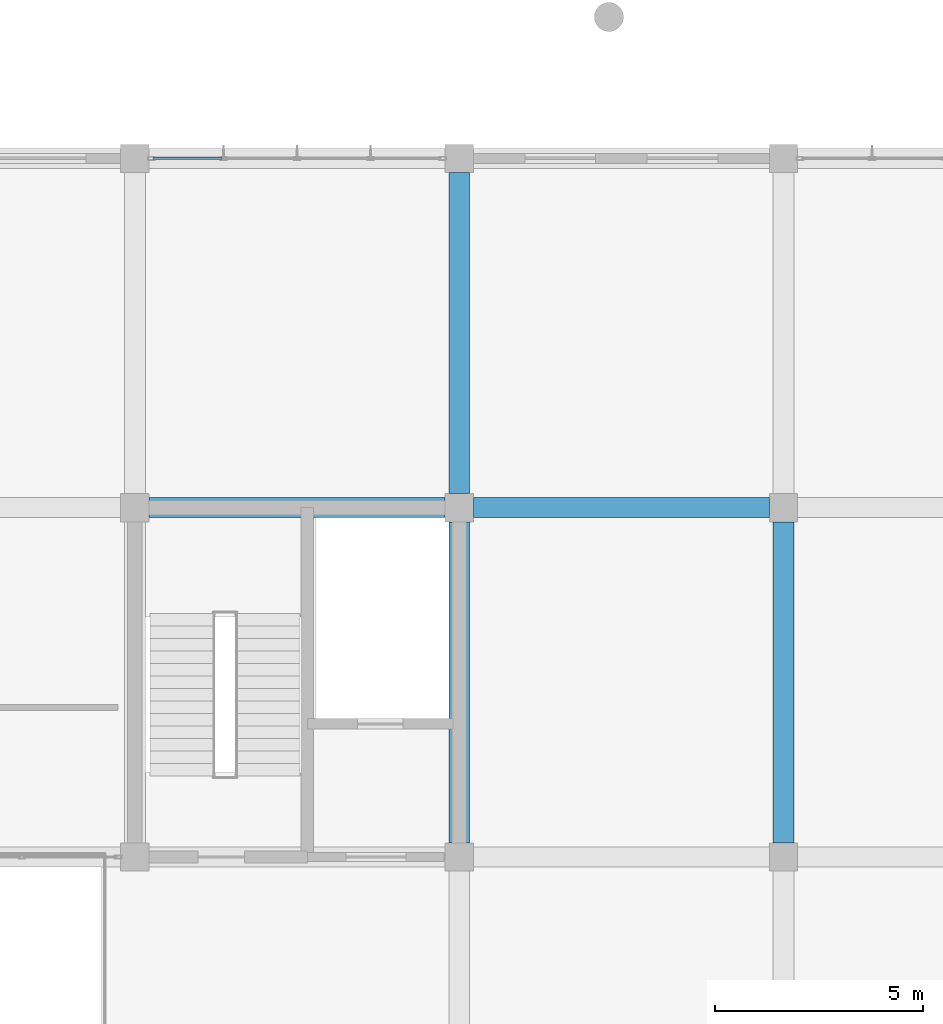
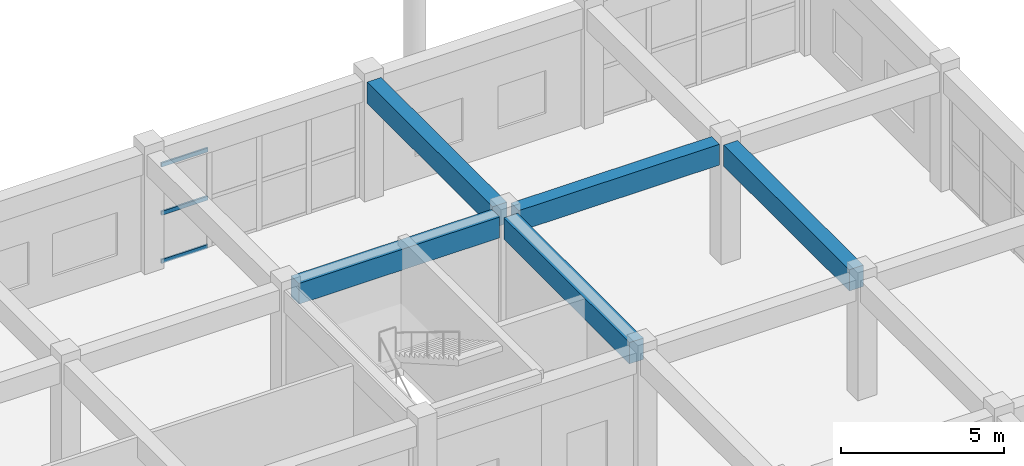
# One storey, part 116 of 175: 5 beams, 3 members, 1 element without a shape of its own.
"""IFC4 building model written with IfcOpenShell, lengths in metres."""

from ifc_helpers import new_model, si_unit, direction, frame, origin, origin_2d, place, context, subcontext, project, spatial, rectangle, hollow_rectangle, extrude, material, layer, layer_set, material_profile, profile_set, type_object, element, aggregate, save


model = new_model("IFC4")

# Units and contexts
model_context = context("Model", 3, precision=1e-05, world=origin(), true_north=direction((0.0, 1.0)))
body_context = subcontext(model_context, "Body", "Model", "MODEL_VIEW")
ifc_project = project(units=[si_unit("LENGTHUNIT", "METRE"), si_unit("AREAUNIT", "SQUARE_METRE"), si_unit("VOLUMEUNIT", "CUBIC_METRE"), si_unit("PLANEANGLEUNIT", "RADIAN"), si_unit("MASSUNIT", "GRAM", prefix="KILO")], contexts=[model_context])

# Site, building, storey
site_placement = place(None, origin())
site = spatial("IfcSite", under=ifc_project, at=site_placement, CompositionType="ELEMENT")
building_placement = place(site_placement, origin())
building = spatial("IfcBuilding", under=site, at=building_placement, Name="Zizhar Promenade General Hospital", CompositionType="ELEMENT")
storey_placement = place(building_placement, frame((0.0, 0.0, 4.800048828125)))
storey = spatial("IfcBuildingStorey", under=building, at=storey_placement, Name="L01", CompositionType="ELEMENT", Elevation=4.800048828125)

# Beams
ifc_material_1 = material(Name="Concrete C35/45", Category="concrete")
ifc_material_profile_1 = material_profile(ifc_material_1, rectangle(XDim=0.47998046875, YDim=0.780029296875, at=origin_2d()))
ifc_profile_set_1 = profile_set([ifc_material_profile_1], Name="Concrete C35/45")
beam_type_1 = type_object("IfcBeamType", Name="BM-RC-480x780", PredefinedType="BEAM", material=ifc_profile_set_1)
for number, where, z_axis, x_axis, name in (
    (1, (171.93994140625, 100.800048828125, 4.079833984375), (1.0, 0.0, 0.0), (0.0, 1.0, 0.0), "Grid Beam X L01 (22-12)"),
    (2, (179.739990234375, 100.800048828125, 4.079833984375), (1.0, 0.0, 0.0), (0.0, 1.0, 0.0), "Grid Beam X L01 (23-12)"),
):
    element("IfcBeam", number, at=place(storey_placement, frame(where, z_axis=z_axis, x_axis=x_axis)), inside=storey, type_object=beam_type_1, Name=name, PredefinedType="BEAM", context=body_context, shape_type="SweptSolid", body=[
        extrude(rectangle(XDim=0.47998046875, YDim=0.780029296875, at=origin_2d()), origin(), (0.0, 0.0, 1.0), 7.1201171875),
    ])
ifc_material_2 = material(Name="Concrete C35/45", Category="concrete")
ifc_material_profile_2 = material_profile(ifc_material_2, rectangle(XDim=0.5, YDim=0.800048828125, at=origin_2d()))
ifc_profile_set_2 = profile_set([ifc_material_profile_2], Name="Concrete C35/45")
beam_type_2 = type_object("IfcBeamType", Name="BM-RC-500x800", PredefinedType="BEAM", material=ifc_profile_set_2)
beam_1_placement = place(storey_placement, frame((179.39990234375, 92.739990234375, 4.070068359375), z_axis=(0.0, 1.0, 0.0), x_axis=(-1.0, 0.0, 0.0)))
element("IfcBeam", 3, at=beam_1_placement, inside=storey, type_object=beam_type_2, Name="Grid Beam Y L01 (23-11)", PredefinedType="BEAM", context=body_context, shape_type="SweptSolid", body=[
    extrude(rectangle(XDim=0.5, YDim=0.800048828125, at=origin_2d()), origin(), (0.0, 0.0, 1.0), 7.719970703125),
])
beam_2_placement = place(storey_placement, frame((179.39990234375, 101.139892578125, 4.070068359375), z_axis=(0.0, 1.0, 0.0), x_axis=(-1.0, 0.0, 0.0)))
element("IfcBeam", 4, at=beam_2_placement, inside=storey, type_object=beam_type_2, Name="Grid Beam Y L01 (23-12)", PredefinedType="BEAM", context=body_context, shape_type="SweptSolid", body=[
    extrude(rectangle(XDim=0.5, YDim=0.800048828125, at=origin_2d()), origin(), (0.0, 0.0, 1.0), 7.72021484375),
])
beam_3_placement = place(storey_placement, frame((187.199951171875, 92.739990234375, 4.070068359375), z_axis=(0.0, 1.0, 0.0), x_axis=(-1.0, 0.0, 0.0)))
element("IfcBeam", 5, at=beam_3_placement, inside=storey, type_object=beam_type_2, Name="Grid Beam Y L01 (24-11)", PredefinedType="BEAM", context=body_context, shape_type="SweptSolid", body=[
    extrude(rectangle(XDim=0.5, YDim=0.800048828125, at=origin_2d()), origin(), (0.0, 0.0, 1.0), 7.719970703125),
])

# Curtain wall, members
ifc_material_3 = material(Name="Anodised aluminium 6063-T6 and low-E glass", Category="aluminium")
ifc_layer = layer(ifc_material_3, 0.159912109375)
ifc_layer_set = layer_set([ifc_layer], Name="Anodised aluminium 6063-T6 and low-E glass")
curtain_wall_type = type_object("IfcCurtainWallType", Name="CW-CLN-EXT", PredefinedType="NOTDEFINED", material=ifc_layer_set)
curtain_wall_placement = place(storey_placement, origin())
curtain_wall = element("IfcCurtainWall", 6, at=curtain_wall_placement, inside=storey, type_object=curtain_wall_type, Name="Outpatient North Curtain Wall L01-22", PredefinedType="NOTDEFINED")
ifc_material_4 = material(Name="Anodised aluminium 6063-T6", Category="aluminium")
ifc_material_profile_3 = material_profile(ifc_material_4, hollow_rectangle(XDim=0.06005859375, YDim=0.14990234375, WallThickness=0.00390625, at=origin_2d()))
ifc_profile_set_3 = profile_set([ifc_material_profile_3], Name="Anodised aluminium 6063-T6")
member_type = type_object("IfcMemberType", Name="CWT-ALU-150x60", PredefinedType="USERDEFINED", material=ifc_profile_set_3)
member_1_placement = place(storey_placement, frame((172.0400390625, 109.199951171875, 0.030029296875), z_axis=(1.0, 0.0, 0.0), x_axis=(0.0, 1.0, 0.0)))
member_1 = element("IfcMember", 7, at=member_1_placement, type_object=member_type, Name="CW-09 transom 1.1", ObjectType="TRANSOM", PredefinedType="USERDEFINED", context=body_context, shape_type="SweptSolid", body=[
    extrude(hollow_rectangle(XDim=0.06005859375, YDim=0.14990234375, WallThickness=0.00390625, at=origin_2d()), origin(), (0.0, 0.0, 1.0), 1.64990234375),
])
member_2_placement = place(storey_placement, frame((172.0400390625, 109.199951171875, 1.83984375), z_axis=(1.0, 0.0, 0.0), x_axis=(0.0, 1.0, 0.0)))
member_2 = element("IfcMember", 8, at=member_2_placement, type_object=member_type, Name="CW-09 transom 1.2", ObjectType="TRANSOM", PredefinedType="USERDEFINED", context=body_context, shape_type="SweptSolid", body=[
    extrude(hollow_rectangle(XDim=0.06005859375, YDim=0.14990234375, WallThickness=0.00390625, at=origin_2d()), origin(), (0.0, 0.0, 1.0), 1.64990234375),
])
member_3_placement = place(storey_placement, frame((172.0400390625, 109.199951171875, 3.64990234375), z_axis=(1.0, 0.0, 0.0), x_axis=(0.0, 1.0, 0.0)))
member_3 = element("IfcMember", 9, at=member_3_placement, type_object=member_type, Name="CW-09 transom 1.3", ObjectType="TRANSOM", PredefinedType="USERDEFINED", context=body_context, shape_type="SweptSolid", body=[
    extrude(hollow_rectangle(XDim=0.06005859375, YDim=0.14990234375, WallThickness=0.00390625, at=origin_2d()), origin(), (0.0, 0.0, 1.0), 1.64990234375),
])
aggregate(curtain_wall, [member_1, member_2, member_3])

save(model, "model.ifc")
